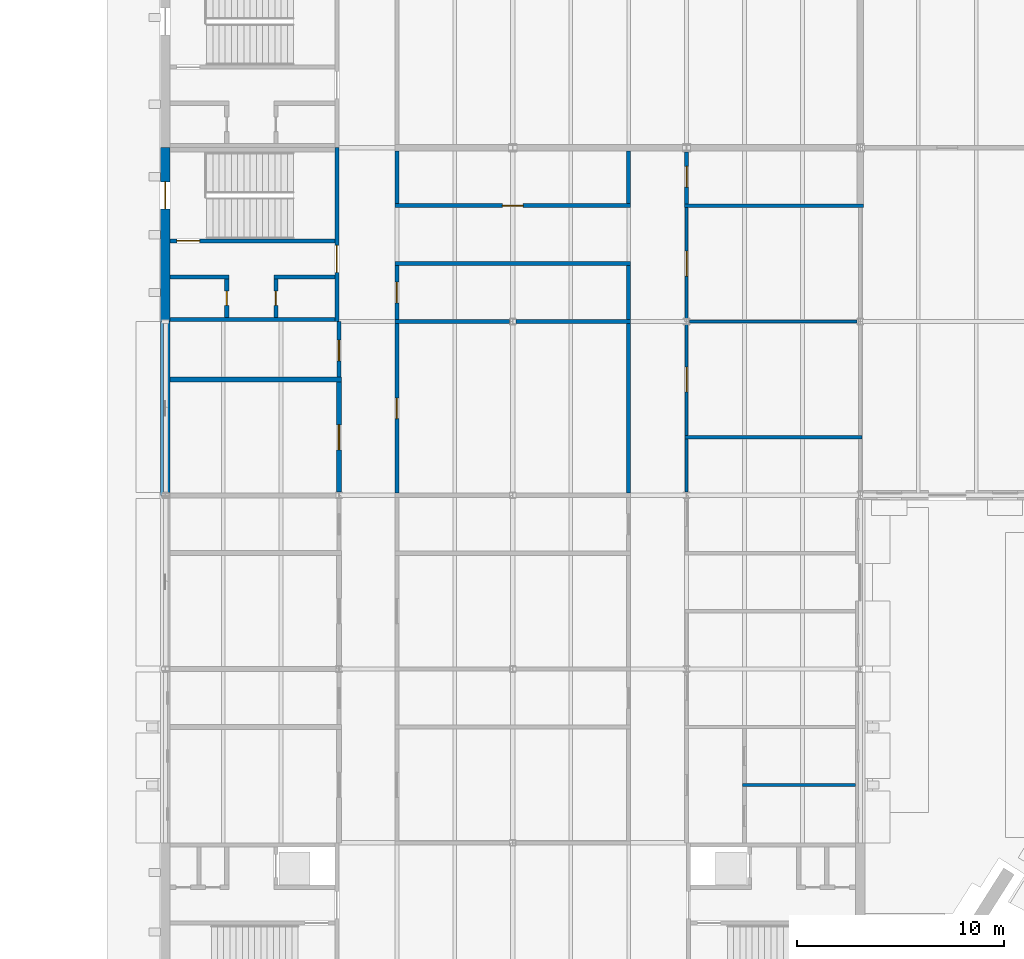
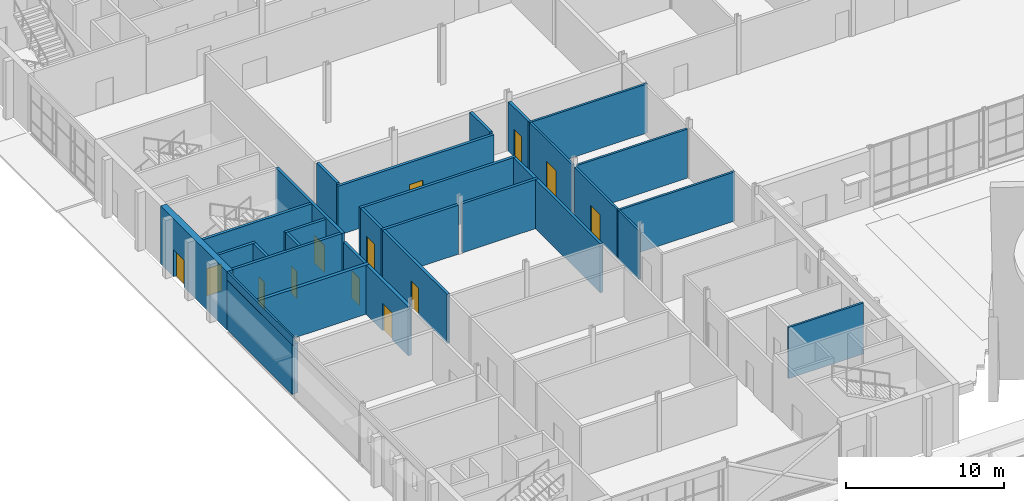
# One storey, part 85 of 116: 31 walls, 13 doors, 13 openings.
"""IFC4 building model written with IfcOpenShell, lengths in metres."""

from ifc_helpers import new_model, si_unit, direction, frame, frame_2d, origin, place, context, subcontext, project, spatial, rectangle, extrude, material, layer, layer_set, type_object, element, fill, save


model = new_model("IFC4")

# Units and contexts
model_context = context("Model", 3, precision=1e-05, world=origin(), true_north=direction((0.0, 1.0)))
body_context = subcontext(model_context, "Body", "Model", "MODEL_VIEW")
ifc_project = project(units=[si_unit("LENGTHUNIT", "METRE"), si_unit("AREAUNIT", "SQUARE_METRE"), si_unit("VOLUMEUNIT", "CUBIC_METRE"), si_unit("PLANEANGLEUNIT", "RADIAN"), si_unit("MASSUNIT", "GRAM", prefix="KILO")], contexts=[model_context])

# Site, building, storey
site_placement = place(None, origin())
site = spatial("IfcSite", under=ifc_project, at=site_placement, CompositionType="ELEMENT")
building_placement = place(site_placement, origin())
building = spatial("IfcBuilding", under=site, at=building_placement, Name="Ardhachandra Cancer Care Centre", CompositionType="ELEMENT")
storey_placement = place(building_placement, origin())
storey = spatial("IfcBuildingStorey", under=building, at=storey_placement, Name="L00", CompositionType="ELEMENT", Elevation=0.0)

# Wall
ifc_material_1 = material(Name="Gypsum board corridor partition on steel studs", Category="steel")
ifc_layer_1 = layer(ifc_material_1, 0.199951171875)
ifc_layer_set_1 = layer_set([ifc_layer_1], Name="Gypsum board corridor partition on steel studs")
wall_type_1 = type_object("IfcWallType", Name="CORRIDOR WALL 200", PredefinedType="PARTITIONING", material=ifc_layer_set_1)
wall_1_placement = place(storey_placement, frame((21.89990234375, 65.800048828125, 0.0), z_axis=(0.0, 0.0, 1.0), x_axis=(1.0, 0.0, 0.0)))
element("IfcWall", 1, at=wall_1_placement, inside=storey, type_object=wall_type_1, Name="R/wall/L00/h0065800_0021900", PredefinedType="PARTITIONING", context=body_context, shape_type="SweptSolid", body=[
    extrude(rectangle(XDim=11.400146484375, YDim=0.199951171875, at=frame_2d((5.7001953125, 0.0))), origin(), (0.0, 0.0, 1.0), 3.800048828125),
])

# Wall, opening, door
wall_2_placement = place(storey_placement, frame((21.89990234375, 68.60009765625, 0.0), z_axis=(0.0, 0.0, 1.0), x_axis=(1.0, 0.0, 0.0)))
wall_2 = element("IfcWall", 2, at=wall_2_placement, inside=storey, type_object=wall_type_1, Name="R/wall/L00/h0068600_0021900", PredefinedType="PARTITIONING", context=body_context, shape_type="SweptSolid", body=[
    extrude(rectangle(XDim=11.400146484375, YDim=0.199951171875, at=frame_2d((5.7001953125, 0.0))), origin(), (0.0, 0.0, 1.0), 3.800048828125),
])
opening_1_placement = place(wall_2_placement, frame((5.199951171875, 0.0, 0.0)))
opening_1 = element("IfcOpeningElement", 3, at=opening_1_placement, cuts=wall_2, Name="Opening L00-0017", PredefinedType="OPENING", context=body_context, shape_type="SweptSolid", body=[
    extrude(rectangle(XDim=1.0, YDim=2.10009765625, at=frame_2d((0.5, 1.050048828125))), frame((0.0, 0.10986328125, 0.0), z_axis=(0.0, -1.0, 0.0), x_axis=(1.0, 0.0, 0.0)), (0.0, 0.0, 1.0), 0.219970703125),
])
ifc_material_2 = material(Name="Timber fire door with smoke seals", Category="wood")
door_type_1 = type_object("IfcDoorType", Name="FIRE DOOR SINGLE 1000x2100 FD30S", OperationType="NOTDEFINED", PredefinedType="DOOR", material=ifc_material_2)
door_1_placement = place(opening_1_placement, origin())
door_1 = element("IfcDoor", 4, at=door_1_placement, inside=storey, type_object=door_type_1, Name="Door L00-0017", OperationType="SINGLE_SWING_RIGHT", OverallHeight=2.10009765625, OverallWidth=1.0, PredefinedType="DOOR", context=body_context, shape_type="SweptSolid", body=[
    extrude(rectangle(XDim=1.0, YDim=2.10009765625, at=frame_2d((0.5, 1.050048828125))), frame((0.0, 0.02490234375, 0.0), z_axis=(0.0, -1.0, 0.0), x_axis=(1.0, 0.0, 0.0)), (0.0, 0.0, 1.0), 0.050048828125),
])
fill(opening_1, door_1)

wall_3_placement = place(storey_placement, frame((19.199951171875, 60.320068359375, 0.0), z_axis=(0.0, 0.0, 1.0), x_axis=(0.0, 1.0, 0.0)))
wall_3 = element("IfcWall", 5, at=wall_3_placement, inside=storey, type_object=wall_type_1, Name="R/wall/L00/v0019200_0060320", PredefinedType="PARTITIONING", context=body_context, shape_type="SweptSolid", body=[
    extrude(rectangle(XDim=2.679931640625, YDim=0.199951171875, at=frame_2d((1.33984375, 0.0))), origin(), (0.0, 0.0, 1.0), 3.800048828125),
])
opening_2_placement = place(wall_3_placement, frame((0.780029296875, 0.0, 0.0)))
opening_2 = element("IfcOpeningElement", 6, at=opening_2_placement, cuts=wall_3, Name="Opening L00-0058", PredefinedType="OPENING", context=body_context, shape_type="SweptSolid", body=[
    extrude(rectangle(XDim=1.0, YDim=2.10009765625, at=frame_2d((0.5, 1.050048828125))), frame((0.0, 0.10986328125, 0.0), z_axis=(0.0, -1.0, 0.0), x_axis=(1.0, 0.0, 0.0)), (0.0, 0.0, 1.0), 0.219970703125),
])
door_2_placement = place(opening_2_placement, origin())
door_2 = element("IfcDoor", 7, at=door_2_placement, inside=storey, type_object=door_type_1, Name="Door L00-0058", OperationType="SINGLE_SWING_LEFT", OverallHeight=2.10009765625, OverallWidth=1.0, PredefinedType="DOOR", context=body_context, shape_type="SweptSolid", body=[
    extrude(rectangle(XDim=1.0, YDim=2.10009765625, at=frame_2d((0.5, 1.050048828125))), frame((0.0, 0.02490234375, 0.0), z_axis=(0.0, -1.0, 0.0), x_axis=(1.0, 0.0, 0.0)), (0.0, 0.0, 1.0), 0.050048828125),
])
fill(opening_2, door_2)

wall_4_placement = place(storey_placement, frame((22.0, 63.10009765625, 0.0), z_axis=(0.0, 0.0, 1.0), x_axis=(0.0, 1.0, 0.0)))
wall_4 = element("IfcWall", 8, at=wall_4_placement, inside=storey, type_object=wall_type_1, Name="R/wall/L00/v0022000_0063100", PredefinedType="PARTITIONING", context=body_context, shape_type="SweptSolid", body=[
    extrude(rectangle(XDim=2.599853515625, YDim=0.199951171875, at=frame_2d((1.2998046875, 0.0))), origin(), (0.0, 0.0, 1.0), 3.800048828125),
])
opening_3_placement = place(wall_4_placement, frame((0.800048828125, 0.0, 0.0)))
opening_3 = element("IfcOpeningElement", 9, at=opening_3_placement, cuts=wall_4, Name="Opening L00-0062", PredefinedType="OPENING", context=body_context, shape_type="SweptSolid", body=[
    extrude(rectangle(XDim=1.0, YDim=2.10009765625, at=frame_2d((0.5, 1.050048828125))), frame((0.0, 0.10986328125, 0.0), z_axis=(0.0, -1.0, 0.0), x_axis=(1.0, 0.0, 0.0)), (0.0, 0.0, 1.0), 0.219970703125),
])
door_3_placement = place(opening_3_placement, origin())
door_3 = element("IfcDoor", 10, at=door_3_placement, inside=storey, type_object=door_type_1, Name="Door L00-0062", OperationType="SINGLE_SWING_RIGHT", OverallHeight=2.10009765625, OverallWidth=1.0, PredefinedType="DOOR", context=body_context, shape_type="SweptSolid", body=[
    extrude(rectangle(XDim=1.0, YDim=2.10009765625, at=frame_2d((0.5, 1.050048828125))), frame((0.0, 0.02490234375, 0.0), z_axis=(0.0, -1.0, 0.0), x_axis=(1.0, 0.0, 0.0)), (0.0, 0.0, 1.0), 0.050048828125),
])
fill(opening_3, door_3)

# Walls
wall_5_placement = place(storey_placement, frame((22.0, 68.699951171875, 0.0), z_axis=(0.0, 0.0, 1.0), x_axis=(0.0, 1.0, 0.0)))
element("IfcWall", 11, at=wall_5_placement, inside=storey, type_object=wall_type_1, Name="R/wall/L00/v0022000_0068700", PredefinedType="PARTITIONING", context=body_context, shape_type="SweptSolid", body=[
    extrude(rectangle(XDim=2.550048828125, YDim=0.199951171875, at=frame_2d((1.27490234375, 0.0))), origin(), (0.0, 0.0, 1.0), 3.949951171875),
])
wall_6_placement = place(storey_placement, frame((33.199951171875, 63.10009765625, 0.0), z_axis=(0.0, 0.0, 1.0), x_axis=(0.0, 1.0, 0.0)))
element("IfcWall", 12, at=wall_6_placement, inside=storey, type_object=wall_type_1, Name="R/wall/L00/v0033200_0063100", PredefinedType="PARTITIONING", context=body_context, shape_type="SweptSolid", body=[
    extrude(rectangle(XDim=2.599853515625, YDim=0.199951171875, at=frame_2d((1.2998046875, 0.0))), origin(), (0.0, 0.0, 1.0), 3.800048828125),
])
wall_7_placement = place(storey_placement, frame((33.199951171875, 68.699951171875, 0.0), z_axis=(0.0, 0.0, 1.0), x_axis=(0.0, 1.0, 0.0)))
element("IfcWall", 13, at=wall_7_placement, inside=storey, type_object=wall_type_1, Name="R/wall/L00/v0033200_0068700", PredefinedType="PARTITIONING", context=body_context, shape_type="SweptSolid", body=[
    extrude(rectangle(XDim=2.550048828125, YDim=0.199951171875, at=frame_2d((1.27490234375, 0.0))), origin(), (0.0, 0.0, 1.0), 3.949951171875),
])

# Wall, opening, door
wall_8_placement = place(storey_placement, frame((36.0, 68.679931640625, 0.0), z_axis=(0.0, 0.0, 1.0), x_axis=(0.0, 1.0, 0.0)))
wall_8 = element("IfcWall", 14, at=wall_8_placement, inside=storey, type_object=wall_type_1, Name="R/wall/L00/v0036000_0068680", PredefinedType="PARTITIONING", context=body_context, shape_type="SweptSolid", body=[
    extrude(rectangle(XDim=2.524658203125, YDim=0.199951171875, at=frame_2d((1.26220703125, 0.0))), origin(), (0.0, 0.0, 1.0), 3.800048828125),
])
opening_4_placement = place(wall_8_placement, frame((0.820068359375, 0.0, 0.0)))
opening_4 = element("IfcOpeningElement", 15, at=opening_4_placement, cuts=wall_8, Name="Opening L00-0070", PredefinedType="OPENING", context=body_context, shape_type="SweptSolid", body=[
    extrude(rectangle(XDim=1.0, YDim=2.10009765625, at=frame_2d((0.5, 1.050048828125))), frame((0.0, 0.10986328125, 0.0), z_axis=(0.0, -1.0, 0.0), x_axis=(1.0, 0.0, 0.0)), (0.0, 0.0, 1.0), 0.219970703125),
])
door_4_placement = place(opening_4_placement, origin())
door_4 = element("IfcDoor", 16, at=door_4_placement, inside=storey, type_object=door_type_1, Name="Door L00-0070", OperationType="SINGLE_SWING_LEFT", OverallHeight=2.10009765625, OverallWidth=1.0, PredefinedType="DOOR", context=body_context, shape_type="SweptSolid", body=[
    extrude(rectangle(XDim=1.0, YDim=2.10009765625, at=frame_2d((0.5, 1.050048828125))), frame((0.0, 0.02490234375, 0.0), z_axis=(0.0, -1.0, 0.0), x_axis=(1.0, 0.0, 0.0)), (0.0, 0.0, 1.0), 0.050048828125),
])
fill(opening_4, door_4)

ifc_material_3 = material(Name="Concrete M40", Category="concrete")
ifc_layer_2 = layer(ifc_material_3, 0.449951171875)
ifc_layer_set_2 = layer_set([ifc_layer_2], Name="Concrete M40")
wall_type_2 = type_object("IfcWallType", Name="Core exterior wall RC 450", PredefinedType="SOLIDWALL", material=ifc_layer_set_2)
wall_9_placement = place(storey_placement, frame((10.800048828125, 71.39990234375, 0.0), z_axis=(0.0, 0.0, 1.0), x_axis=(0.0, -1.0, 0.0)))
wall_9 = element("IfcWall", 17, at=wall_9_placement, inside=storey, type_object=wall_type_2, Name="Core wall K3 FAR", PredefinedType="SOLIDWALL", context=body_context, shape_type="SweptSolid", body=[
    extrude(rectangle(XDim=8.39990234375, YDim=0.449951171875, at=frame_2d((4.199951171875, 0.0))), origin(), (0.0, 0.0, 1.0), 4.5),
])
opening_5_placement = place(wall_9_placement, frame((1.64990234375, 0.0, 0.0)))
opening_5 = element("IfcOpeningElement", 18, at=opening_5_placement, cuts=wall_9, Name="Opening L00-K03-5", PredefinedType="OPENING", context=body_context, shape_type="SweptSolid", body=[
    extrude(rectangle(XDim=1.300048828125, YDim=2.10009765625, at=frame_2d((0.64990234375, 1.050048828125))), frame((0.0, 0.23486328125, 0.0), z_axis=(0.0, -1.0, 0.0), x_axis=(1.0, 0.0, 0.0)), (0.0, 0.0, 1.0), 0.469970703125),
])
ifc_material_4 = material(Name="Steel door set", Category="steel")
door_type_2 = type_object("IfcDoorType", Name="Core exit double door 1300x2100 FD60S", OperationType="DOUBLE_DOOR_DOUBLE_SWING", PredefinedType="DOOR", material=ifc_material_4)
door_5_placement = place(opening_5_placement, origin())
door_5 = element("IfcDoor", 19, at=door_5_placement, inside=storey, type_object=door_type_2, Name="Stair exit door", OperationType="DOUBLE_DOOR_DOUBLE_SWING", OverallHeight=2.10009765625, OverallWidth=1.300048828125, PredefinedType="DOOR", context=body_context, shape_type="SweptSolid", body=[
    extrude(rectangle(XDim=1.300048828125, YDim=2.10009765625, at=frame_2d((0.64990234375, 1.050048828125))), frame((0.0, 0.02490234375, 0.0), z_axis=(0.0, -1.0, 0.0), x_axis=(1.0, 0.0, 0.0)), (0.0, 0.0, 1.0), 0.050048828125),
])
fill(opening_5, door_5)

ifc_material_5 = material(Name="Concrete M40", Category="concrete")
ifc_layer_3 = layer(ifc_material_5, 0.199951171875)
ifc_layer_set_3 = layer_set([ifc_layer_3], Name="Concrete M40")
wall_type_3 = type_object("IfcWallType", Name="Core wall RC 200", PredefinedType="SOLIDWALL", material=ifc_layer_set_3)
wall_10_placement = place(storey_placement, frame((19.10009765625, 71.39990234375, 0.0), z_axis=(0.0, 0.0, 1.0), x_axis=(0.0, -1.0, 0.0)))
wall_10 = element("IfcWall", 20, at=wall_10_placement, inside=storey, type_object=wall_type_3, Name="Core wall K3 ENT", PredefinedType="SOLIDWALL", context=body_context, shape_type="SweptSolid", body=[
    extrude(rectangle(XDim=8.39990234375, YDim=0.199951171875, at=frame_2d((4.199951171875, 0.0))), origin(), (0.0, 0.0, 1.0), 4.5),
])
opening_6_placement = place(wall_10_placement, frame((4.72509765625, 0.0, 0.0)))
opening_6 = element("IfcOpeningElement", 21, at=opening_6_placement, cuts=wall_10, Name="Opening L00-K03-1", PredefinedType="OPENING", context=body_context, shape_type="SweptSolid", body=[
    extrude(rectangle(XDim=1.300048828125, YDim=2.10009765625, at=frame_2d((0.64990234375, 1.050048828125))), frame((0.0, 0.10986328125, 0.0), z_axis=(0.0, -1.0, 0.0), x_axis=(1.0, 0.0, 0.0)), (0.0, 0.0, 1.0), 0.219970703125),
])
ifc_material_6 = material(Name="Steel door set", Category="steel")
door_type_3 = type_object("IfcDoorType", Name="Core entry double door 1300x2100 FD60", OperationType="DOUBLE_DOOR_DOUBLE_SWING", PredefinedType="DOOR", material=ifc_material_6)
door_6_placement = place(opening_6_placement, origin())
door_6 = element("IfcDoor", 22, at=door_6_placement, inside=storey, type_object=door_type_3, Name="Core entry door", OperationType="DOUBLE_DOOR_DOUBLE_SWING", OverallHeight=2.10009765625, OverallWidth=1.300048828125, PredefinedType="DOOR", context=body_context, shape_type="SweptSolid", body=[
    extrude(rectangle(XDim=1.300048828125, YDim=2.10009765625, at=frame_2d((0.64990234375, 1.050048828125))), frame((0.0, 0.02490234375, 0.0), z_axis=(0.0, -1.0, 0.0), x_axis=(1.0, 0.0, 0.0)), (0.0, 0.0, 1.0), 0.050048828125),
])
fill(opening_6, door_6)

# Wall
wall_11_placement = place(storey_placement, frame((19.0, 63.10009765625, 0.0), z_axis=(0.0, 0.0, 1.0), x_axis=(-1.0, 0.0, 0.0)))
element("IfcWall", 23, at=wall_11_placement, inside=storey, type_object=wall_type_3, Name="Core wall K3 UE", PredefinedType="SOLIDWALL", context=body_context, shape_type="SweptSolid", body=[
    extrude(rectangle(XDim=7.97509765625, YDim=0.199951171875, at=frame_2d((3.987548828125, 0.0))), origin(), (0.0, 0.0, 1.0), 4.5),
])

# Wall, opening, door
wall_12_placement = place(storey_placement, frame((19.0, 66.89990234375, 0.0), z_axis=(0.0, 0.0, 1.0), x_axis=(-1.0, 0.0, 0.0)))
wall_12 = element("IfcWall", 24, at=wall_12_placement, inside=storey, type_object=wall_type_3, Name="Core wall K3 P1", PredefinedType="SOLIDWALL", context=body_context, shape_type="SweptSolid", body=[
    extrude(rectangle(XDim=7.97509765625, YDim=0.199951171875, at=frame_2d((3.987548828125, 0.0))), origin(), (0.0, 0.0, 1.0), 4.5),
])
opening_7_placement = place(wall_12_placement, frame((6.53759765625, 0.0, 0.0)))
opening_7 = element("IfcOpeningElement", 25, at=opening_7_placement, cuts=wall_12, Name="Opening L00-K03-2", PredefinedType="OPENING", context=body_context, shape_type="SweptSolid", body=[
    extrude(rectangle(XDim=1.10009765625, YDim=2.10009765625, at=frame_2d((0.550048828125, 1.050048828125))), frame((0.0, 0.10986328125, 0.0), z_axis=(0.0, -1.0, 0.0), x_axis=(1.0, 0.0, 0.0)), (0.0, 0.0, 1.0), 0.219970703125),
])
ifc_material_7 = material(Name="Steel door set", Category="steel")
door_type_4 = type_object("IfcDoorType", Name="Stair door 1100x2100 FD60S", OperationType="NOTDEFINED", PredefinedType="DOOR", material=ifc_material_7)
door_7_placement = place(opening_7_placement, origin())
door_7 = element("IfcDoor", 26, at=door_7_placement, inside=storey, type_object=door_type_4, Name="Stair door", OperationType="SINGLE_SWING_LEFT", OverallHeight=2.10009765625, OverallWidth=1.10009765625, PredefinedType="DOOR", context=body_context, shape_type="SweptSolid", body=[
    extrude(rectangle(XDim=1.10009765625, YDim=2.10009765625, at=frame_2d((0.550048828125, 1.050048828125))), frame((0.0, 0.02490234375, 0.0), z_axis=(0.0, -1.0, 0.0), x_axis=(1.0, 0.0, 0.0)), (0.0, 0.0, 1.0), 0.050048828125),
])
fill(opening_7, door_7)

# Walls
wall_13_placement = place(storey_placement, frame((19.0, 65.14990234375, 0.0), z_axis=(0.0, 0.0, 1.0), x_axis=(-1.0, 0.0, 0.0)))
element("IfcWall", 27, at=wall_13_placement, inside=storey, type_object=wall_type_3, Name="Core wall K3 P2A", PredefinedType="SOLIDWALL", context=body_context, shape_type="SweptSolid", body=[
    extrude(rectangle(XDim=2.949951171875, YDim=0.199951171875, at=frame_2d((1.47509765625, 0.0))), origin(), (0.0, 0.0, 1.0), 4.35009765625),
])
wall_14_placement = place(storey_placement, frame((13.875, 65.14990234375, 0.0), z_axis=(0.0, 0.0, 1.0), x_axis=(-1.0, 0.0, 0.0)))
element("IfcWall", 28, at=wall_14_placement, inside=storey, type_object=wall_type_3, Name="Core wall K3 P2B", PredefinedType="SOLIDWALL", context=body_context, shape_type="SweptSolid", body=[
    extrude(rectangle(XDim=2.85009765625, YDim=0.199951171875, at=frame_2d((1.425048828125, 0.0))), origin(), (0.0, 0.0, 1.0), 4.35009765625),
])

# Wall, opening, door
wall_15_placement = place(storey_placement, frame((16.14990234375, 65.050048828125, 0.0), z_axis=(0.0, 0.0, 1.0), x_axis=(0.0, -1.0, 0.0)))
wall_15 = element("IfcWall", 29, at=wall_15_placement, inside=storey, type_object=wall_type_3, Name="Core wall K3 W1", PredefinedType="SOLIDWALL", context=body_context, shape_type="SweptSolid", body=[
    extrude(rectangle(XDim=1.85009765625, YDim=0.199951171875, at=frame_2d((0.925048828125, 0.0))), origin(), (0.0, 0.0, 1.0), 4.35009765625),
])
opening_8_placement = place(wall_15_placement, frame((0.574951171875, 0.0, 0.0)))
opening_8 = element("IfcOpeningElement", 30, at=opening_8_placement, cuts=wall_15, Name="Opening L00-K03-3", PredefinedType="OPENING", context=body_context, shape_type="SweptSolid", body=[
    extrude(rectangle(XDim=0.699951171875, YDim=2.10009765625, at=frame_2d((0.35009765625, 1.050048828125))), frame((0.0, 0.10986328125, 0.0), z_axis=(0.0, -1.0, 0.0), x_axis=(1.0, 0.0, 0.0)), (0.0, 0.0, 1.0), 0.219970703125),
])
ifc_material_8 = material(Name="Steel door set", Category="steel")
door_type_5 = type_object("IfcDoorType", Name="Riser access door 700x2100 FD120S", OperationType="NOTDEFINED", PredefinedType="DOOR", material=ifc_material_8)
door_8_placement = place(opening_8_placement, origin())
door_8 = element("IfcDoor", 31, at=door_8_placement, inside=storey, type_object=door_type_5, Name="Riser access door", OperationType="SINGLE_SWING_RIGHT", OverallHeight=2.10009765625, OverallWidth=0.699951171875, PredefinedType="DOOR", context=body_context, shape_type="SweptSolid", body=[
    extrude(rectangle(XDim=0.699951171875, YDim=2.10009765625, at=frame_2d((0.35009765625, 1.050048828125))), frame((0.0, 0.02490234375, 0.0), z_axis=(0.0, -1.0, 0.0), x_axis=(1.0, 0.0, 0.0)), (0.0, 0.0, 1.0), 0.050048828125),
])
fill(opening_8, door_8)

wall_16_placement = place(storey_placement, frame((13.77490234375, 65.050048828125, 0.0), z_axis=(0.0, 0.0, 1.0), x_axis=(0.0, -1.0, 0.0)))
wall_16 = element("IfcWall", 32, at=wall_16_placement, inside=storey, type_object=wall_type_3, Name="Core wall K3 W2", PredefinedType="SOLIDWALL", context=body_context, shape_type="SweptSolid", body=[
    extrude(rectangle(XDim=1.85009765625, YDim=0.199951171875, at=frame_2d((0.925048828125, 0.0))), origin(), (0.0, 0.0, 1.0), 4.35009765625),
])
opening_9_placement = place(wall_16_placement, frame((0.574951171875, 0.0, 0.0)))
opening_9 = element("IfcOpeningElement", 33, at=opening_9_placement, cuts=wall_16, Name="Opening L00-K03-4", PredefinedType="OPENING", context=body_context, shape_type="SweptSolid", body=[
    extrude(rectangle(XDim=0.699951171875, YDim=2.10009765625, at=frame_2d((0.35009765625, 1.050048828125))), frame((0.0, 0.10986328125, 0.0), z_axis=(0.0, -1.0, 0.0), x_axis=(1.0, 0.0, 0.0)), (0.0, 0.0, 1.0), 0.219970703125),
])
door_9_placement = place(opening_9_placement, origin())
door_9 = element("IfcDoor", 34, at=door_9_placement, inside=storey, type_object=door_type_5, Name="Riser access door", OperationType="SINGLE_SWING_RIGHT", OverallHeight=2.10009765625, OverallWidth=0.699951171875, PredefinedType="DOOR", context=body_context, shape_type="SweptSolid", body=[
    extrude(rectangle(XDim=0.699951171875, YDim=2.10009765625, at=frame_2d((0.35009765625, 1.050048828125))), frame((0.0, 0.02490234375, 0.0), z_axis=(0.0, -1.0, 0.0), x_axis=(1.0, 0.0, 0.0)), (0.0, 0.0, 1.0), 0.050048828125),
])
fill(opening_9, door_9)

# Walls
ifc_material_9 = material(Name="Precast Concrete M30 fascia panel with brick slip facing", Category="masonry")
ifc_layer_4 = layer(ifc_material_9, 0.1298828125)
ifc_layer_set_4 = layer_set([ifc_layer_4], Name="Precast Concrete M30 fascia panel with brick slip facing")
wall_type_4 = type_object("IfcWallType", Name="Edge beam fascia 130", PredefinedType="SOLIDWALL", material=ifc_layer_set_4)
wall_17_placement = place(storey_placement, frame((10.639892578125, 54.60009765625, 3.8701171875), z_axis=(0.0, 0.0, 1.0), x_axis=(0.0, 1.0, 0.0)))
element("IfcWall", 35, at=wall_17_placement, inside=storey, type_object=wall_type_4, Name="E/fascia/L00/w/0010800_0054600", PredefinedType="SOLIDWALL", context=body_context, shape_type="SweptSolid", body=[
    extrude(rectangle(XDim=8.39990234375, YDim=0.1298828125, at=frame_2d((4.199951171875, 0.0))), origin(), (0.0, 0.0, 1.0), 0.6298828125),
])
ifc_material_10 = material(Name="Lead-lined gypsum board partition (1.5 mm lead)")
ifc_layer_5 = layer(ifc_material_10, 0.159912109375)
ifc_layer_set_5 = layer_set([ifc_layer_5], Name="Lead-lined gypsum board partition (1.5 mm lead)")
wall_type_5 = type_object("IfcWallType", Name="LEAD-LINED PARTITION 160", PredefinedType="PARTITIONING", material=ifc_layer_set_5)
wall_18_placement = place(storey_placement, frame((35.919921875, 57.39990234375, 0.0), z_axis=(0.0, 0.0, 1.0), x_axis=(1.0, 0.0, 0.0)))
element("IfcWall", 36, at=wall_18_placement, inside=storey, type_object=wall_type_5, Name="R/wall/L00/h0057400_0035920", PredefinedType="PARTITIONING", context=body_context, shape_type="SweptSolid", body=[
    extrude(rectangle(XDim=8.56005859375, YDim=0.159912109375, at=frame_2d((4.280029296875, 0.0))), origin(), (0.0, 0.0, 1.0), 3.800048828125),
])
wall_19_placement = place(storey_placement, frame((36.14990234375, 63.0, 0.0), z_axis=(0.0, 0.0, 1.0), x_axis=(1.0, 0.0, 0.0)))
element("IfcWall", 37, at=wall_19_placement, inside=storey, type_object=wall_type_5, Name="R/wall/L00/h0063000_0036150", PredefinedType="PARTITIONING", context=body_context, shape_type="SweptSolid", body=[
    extrude(rectangle(XDim=8.10009765625, YDim=0.159912109375, at=frame_2d((4.050048828125, 0.0))), origin(), (0.0, 0.0, 1.0), 3.800048828125),
])
wall_20_placement = place(storey_placement, frame((35.89990234375, 68.60009765625, 0.0), z_axis=(0.0, 0.0, 1.0), x_axis=(1.0, 0.0, 0.0)))
element("IfcWall", 38, at=wall_20_placement, inside=storey, type_object=wall_type_5, Name="R/wall/L00/h0068600_0035900", PredefinedType="PARTITIONING", context=body_context, shape_type="SweptSolid", body=[
    extrude(rectangle(XDim=8.650146484375, YDim=0.159912109375, at=frame_2d((4.3251953125, 0.0))), origin(), (0.0, 0.0, 1.0), 3.800048828125),
])
wall_21_placement = place(storey_placement, frame((36.0, 54.75, 0.0), z_axis=(0.0, 0.0, 1.0), x_axis=(0.0, 1.0, 0.0)))
element("IfcWall", 39, at=wall_21_placement, inside=storey, type_object=wall_type_5, Name="R/wall/L00/v0036000_0054750", PredefinedType="PARTITIONING", context=body_context, shape_type="SweptSolid", body=[
    extrude(rectangle(XDim=2.570068359375, YDim=0.159912109375, at=frame_2d((1.28515625, 0.0))), origin(), (0.0, 0.0, 1.0), 3.800048828125),
])

# Wall, opening, door
wall_22_placement = place(storey_placement, frame((36.0, 57.47998046875, 0.0), z_axis=(0.0, 0.0, 1.0), x_axis=(0.0, 1.0, 0.0)))
wall_22 = element("IfcWall", 40, at=wall_22_placement, inside=storey, type_object=wall_type_5, Name="R/wall/L00/v0036000_0057480", PredefinedType="PARTITIONING", context=body_context, shape_type="SweptSolid", body=[
    extrude(rectangle(XDim=5.3701171875, YDim=0.159912109375, at=frame_2d((2.68505859375, 0.0))), origin(), (0.0, 0.0, 1.0), 3.800048828125),
])
opening_10_placement = place(wall_22_placement, frame((2.1201171875, 0.0, 0.0)))
opening_10 = element("IfcOpeningElement", 41, at=opening_10_placement, cuts=wall_22, Name="Opening L00-0068", PredefinedType="OPENING", context=body_context, shape_type="SweptSolid", body=[
    extrude(rectangle(XDim=1.199951171875, YDim=2.10009765625, at=frame_2d((0.60009765625, 1.050048828125))), frame((0.0, 0.08984375, 0.0), z_axis=(0.0, -1.0, 0.0), x_axis=(1.0, 0.0, 0.0)), (0.0, 0.0, 1.0), 0.179931640625),
])
ifc_material_11 = material(Name="Lead-lined timber door", Category="wood")
door_type_6 = type_object("IfcDoorType", Name="LEAD-LINED DOOR 1200x2100 FD60", OperationType="NOTDEFINED", PredefinedType="DOOR", material=ifc_material_11)
door_10_placement = place(opening_10_placement, origin())
door_10 = element("IfcDoor", 42, at=door_10_placement, inside=storey, type_object=door_type_6, Name="Door L00-0068", OperationType="SINGLE_SWING_RIGHT", OverallHeight=2.10009765625, OverallWidth=1.199951171875, PredefinedType="DOOR", context=body_context, shape_type="SweptSolid", body=[
    extrude(rectangle(XDim=1.199951171875, YDim=2.10009765625, at=frame_2d((0.60009765625, 1.050048828125))), frame((0.0, 0.02490234375, 0.0), z_axis=(0.0, -1.0, 0.0), x_axis=(1.0, 0.0, 0.0)), (0.0, 0.0, 1.0), 0.050048828125),
])
fill(opening_10, door_10)

wall_23_placement = place(storey_placement, frame((36.0, 63.14990234375, 0.0), z_axis=(0.0, 0.0, 1.0), x_axis=(0.0, 1.0, 0.0)))
wall_23 = element("IfcWall", 43, at=wall_23_placement, inside=storey, type_object=wall_type_5, Name="R/wall/L00/v0036000_0063150", PredefinedType="PARTITIONING", context=body_context, shape_type="SweptSolid", body=[
    extrude(rectangle(XDim=5.3701171875, YDim=0.159912109375, at=frame_2d((2.68505859375, 0.0))), origin(), (0.0, 0.0, 1.0), 3.800048828125),
])
opening_11_placement = place(wall_23_placement, frame((2.050048828125, 0.0, 0.0)))
opening_11 = element("IfcOpeningElement", 44, at=opening_11_placement, cuts=wall_23, Name="Opening L00-0069", PredefinedType="OPENING", context=body_context, shape_type="SweptSolid", body=[
    extrude(rectangle(XDim=1.199951171875, YDim=2.10009765625, at=frame_2d((0.60009765625, 1.050048828125))), frame((0.0, 0.08984375, 0.0), z_axis=(0.0, -1.0, 0.0), x_axis=(1.0, 0.0, 0.0)), (0.0, 0.0, 1.0), 0.179931640625),
])
door_11_placement = place(opening_11_placement, origin())
door_11 = element("IfcDoor", 45, at=door_11_placement, inside=storey, type_object=door_type_6, Name="Door L00-0069", OperationType="SINGLE_SWING_RIGHT", OverallHeight=2.10009765625, OverallWidth=1.199951171875, PredefinedType="DOOR", context=body_context, shape_type="SweptSolid", body=[
    extrude(rectangle(XDim=1.199951171875, YDim=2.10009765625, at=frame_2d((0.60009765625, 1.050048828125))), frame((0.0, 0.02490234375, 0.0), z_axis=(0.0, -1.0, 0.0), x_axis=(1.0, 0.0, 0.0)), (0.0, 0.0, 1.0), 0.050048828125),
])
fill(opening_11, door_11)

# Walls
ifc_material_12 = material(Name="Brick masonry", Category="masonry")
ifc_layer_6 = layer(ifc_material_12, 0.199951171875)
ifc_layer_set_6 = layer_set([ifc_layer_6], Name="Brick masonry")
wall_type_6 = type_object("IfcWallType", Name="PLANT ROOM WALL 200", PredefinedType="SOLIDWALL", material=ifc_layer_set_6)
for number, where, z_axis, x_axis, name in (
    (46, (21.89990234375, 63.0, 0.0), (0.0, 0.0, 1.0), (1.0, 0.0, 0.0), "R/wall/L00/h0063000_0021900"),
    (47, (27.75, 63.0, 0.0), (0.0, 0.0, 1.0), (1.0, 0.0, 0.0), "R/wall/L00/h0063000_0027750"),
):
    element("IfcWall", number, at=place(storey_placement, frame(where, z_axis=z_axis, x_axis=x_axis)), inside=storey, type_object=wall_type_6, Name=name, PredefinedType="SOLIDWALL", context=body_context, shape_type="SweptSolid", body=[
        extrude(rectangle(XDim=5.550048828125, YDim=0.199951171875, at=frame_2d((2.77490234375, 0.0))), origin(), (0.0, 0.0, 1.0), 3.800048828125),
    ])

# Wall, opening, door
wall_24_placement = place(storey_placement, frame((22.0, 54.699951171875, 0.0), z_axis=(0.0, 0.0, 1.0), x_axis=(0.0, 1.0, 0.0)))
wall_24 = element("IfcWall", 48, at=wall_24_placement, inside=storey, type_object=wall_type_6, Name="R/wall/L00/v0022000_0054700", PredefinedType="SOLIDWALL", context=body_context, shape_type="SweptSolid", body=[
    extrude(rectangle(XDim=8.199951171875, YDim=0.199951171875, at=frame_2d((4.10009765625, 0.0))), origin(), (0.0, 0.0, 1.0), 3.800048828125),
])
opening_12_placement = place(wall_24_placement, frame((3.60009765625, 0.0, 0.0)))
opening_12 = element("IfcOpeningElement", 49, at=opening_12_placement, cuts=wall_24, Name="Opening L00-0061", PredefinedType="OPENING", context=body_context, shape_type="SweptSolid", body=[
    extrude(rectangle(XDim=1.0, YDim=2.10009765625, at=frame_2d((0.5, 1.050048828125))), frame((0.0, 0.10986328125, 0.0), z_axis=(0.0, -1.0, 0.0), x_axis=(1.0, 0.0, 0.0)), (0.0, 0.0, 1.0), 0.219970703125),
])
ifc_material_13 = material(Name="Steel fire door", Category="steel")
door_type_7 = type_object("IfcDoorType", Name="FIRE DOOR SINGLE 1000x2100 FD60", OperationType="NOTDEFINED", PredefinedType="DOOR", material=ifc_material_13)
door_12_placement = place(opening_12_placement, origin())
door_12 = element("IfcDoor", 50, at=door_12_placement, inside=storey, type_object=door_type_7, Name="Door L00-0061", OperationType="SINGLE_SWING_LEFT", OverallHeight=2.10009765625, OverallWidth=1.0, PredefinedType="DOOR", context=body_context, shape_type="SweptSolid", body=[
    extrude(rectangle(XDim=1.0, YDim=2.10009765625, at=frame_2d((0.5, 1.050048828125))), frame((0.0, 0.02490234375, 0.0), z_axis=(0.0, -1.0, 0.0), x_axis=(1.0, 0.0, 0.0)), (0.0, 0.0, 1.0), 0.050048828125),
])
fill(opening_12, door_12)

# Walls
wall_25_placement = place(storey_placement, frame((33.199951171875, 54.699951171875, 0.0), z_axis=(0.0, 0.0, 1.0), x_axis=(0.0, 1.0, 0.0)))
element("IfcWall", 51, at=wall_25_placement, inside=storey, type_object=wall_type_6, Name="R/wall/L00/v0033200_0054700", PredefinedType="SOLIDWALL", context=body_context, shape_type="SweptSolid", body=[
    extrude(rectangle(XDim=8.199951171875, YDim=0.199951171875, at=frame_2d((4.10009765625, 0.0))), origin(), (0.0, 0.0, 1.0), 3.800048828125),
])
ifc_material_14 = material(Name="Concrete block masonry with copper-foil RF shield", Category="masonry")
ifc_layer_7 = layer(ifc_material_14, 0.239990234375)
ifc_layer_set_7 = layer_set([ifc_layer_7], Name="Concrete block masonry with copper-foil RF shield")
wall_type_7 = type_object("IfcWallType", Name="RF-SHIELDED WALL 240", PredefinedType="SOLIDWALL", material=ifc_layer_set_7)
wall_26_placement = place(storey_placement, frame((11.02490234375, 60.199951171875, 0.0), z_axis=(0.0, 0.0, 1.0), x_axis=(1.0, 0.0, 0.0)))
element("IfcWall", 52, at=wall_26_placement, inside=storey, type_object=wall_type_7, Name="R/wall/L00/h0060200_0011025", PredefinedType="SOLIDWALL", context=body_context, shape_type="SweptSolid", body=[
    extrude(rectangle(XDim=8.295166015625, YDim=0.239990234375, at=frame_2d((4.1474609375, 0.0))), origin(), (0.0, 0.0, 1.0), 3.800048828125),
])

# Wall, opening, door
wall_27_placement = place(storey_placement, frame((19.199951171875, 54.75, 0.0), z_axis=(0.0, 0.0, 1.0), x_axis=(0.0, 1.0, 0.0)))
wall_27 = element("IfcWall", 53, at=wall_27_placement, inside=storey, type_object=wall_type_7, Name="R/wall/L00/v0019200_0054750", PredefinedType="SOLIDWALL", context=body_context, shape_type="SweptSolid", body=[
    extrude(rectangle(XDim=5.330078125, YDim=0.239990234375, at=frame_2d((2.6650390625, 0.0))), origin(), (0.0, 0.0, 1.0), 3.800048828125),
])
opening_13_placement = place(wall_27_placement, frame((2.050048828125, 0.0, 0.0)))
opening_13 = element("IfcOpeningElement", 54, at=opening_13_placement, cuts=wall_27, Name="Opening L00-0057", PredefinedType="OPENING", context=body_context, shape_type="SweptSolid", body=[
    extrude(rectangle(XDim=1.199951171875, YDim=2.10009765625, at=frame_2d((0.60009765625, 1.050048828125))), frame((0.0, 0.1298828125, 0.0), z_axis=(0.0, -1.0, 0.0), x_axis=(1.0, 0.0, 0.0)), (0.0, 0.0, 1.0), 0.260009765625),
])
door_13_placement = place(opening_13_placement, origin())
door_13 = element("IfcDoor", 55, at=door_13_placement, inside=storey, type_object=door_type_6, Name="Door L00-0057", OperationType="SINGLE_SWING_LEFT", OverallHeight=2.10009765625, OverallWidth=1.199951171875, PredefinedType="DOOR", context=body_context, shape_type="SweptSolid", body=[
    extrude(rectangle(XDim=1.199951171875, YDim=2.10009765625, at=frame_2d((0.60009765625, 1.050048828125))), frame((0.0, 0.02490234375, 0.0), z_axis=(0.0, -1.0, 0.0), x_axis=(1.0, 0.0, 0.0)), (0.0, 0.0, 1.0), 0.050048828125),
])
fill(opening_13, door_13)

# Walls
ifc_material_15 = material(Name="Brick masonry with Concrete M30 core 150", Category="masonry")
ifc_layer_8 = layer(ifc_material_15, 0.449951171875)
ifc_layer_set_8 = layer_set([ifc_layer_8], Name="Brick masonry with Concrete M30 core 150")
wall_type_8 = type_object("IfcWallType", Name="Shielded brick wall 450", PredefinedType="SOLIDWALL", material=ifc_layer_set_8)
wall_28_placement = place(storey_placement, frame((10.800048828125, 54.7451171875, 0.0), z_axis=(0.0, 0.0, 1.0), x_axis=(0.0, 1.0, 0.0)))
element("IfcWall", 56, at=wall_28_placement, inside=storey, type_object=wall_type_8, Name="E/wall/L00/w/0010800_0054600", PredefinedType="SOLIDWALL", context=body_context, shape_type="SweptSolid", body=[
    extrude(rectangle(XDim=8.2548828125, YDim=0.449951171875, at=frame_2d((4.12744140625, 0.0))), origin(), (0.0, 0.0, 1.0), 3.85009765625),
])
ifc_material_16 = material(Name="Tiled gypsum board partition on steel studs", Category="steel")
ifc_layer_9 = layer(ifc_material_16, 0.14990234375)
ifc_layer_set_9 = layer_set([ifc_layer_9], Name="Tiled gypsum board partition on steel studs")
wall_type_9 = type_object("IfcWallType", Name="WET ROOM PARTITION 150", PredefinedType="PARTITIONING", material=ifc_layer_set_9)
wall_29_placement = place(storey_placement, frame((38.699951171875, 40.60009765625, 0.0), z_axis=(0.0, 0.0, 1.0), x_axis=(1.0, 0.0, 0.0)))
element("IfcWall", 57, at=wall_29_placement, inside=storey, type_object=wall_type_9, Name="R/wall/L00/h0040600_0038700", PredefinedType="PARTITIONING", context=body_context, shape_type="SweptSolid", body=[
    extrude(rectangle(XDim=5.47509765625, YDim=0.14990234375, at=frame_2d((2.737548828125, 0.0))), origin(), (0.0, 0.0, 1.0), 3.949951171875),
])

save(model, "model.ifc")
